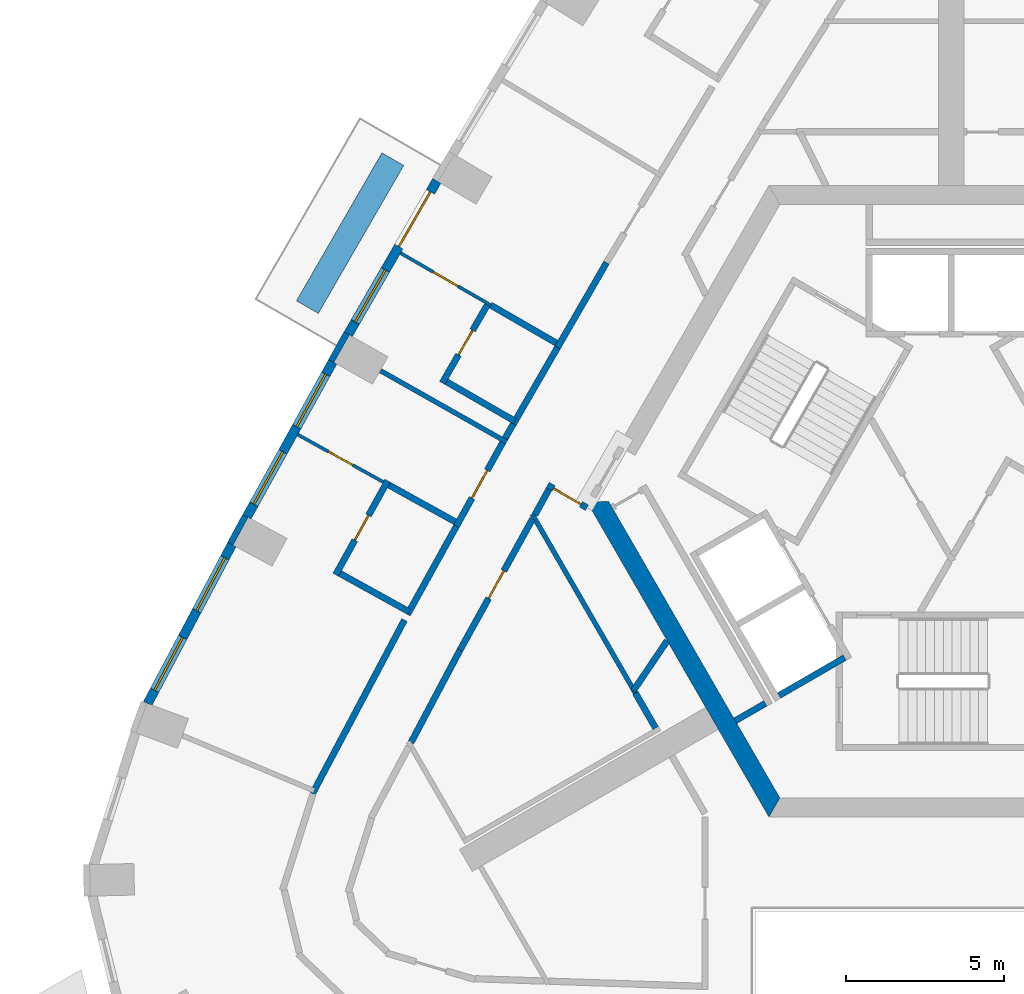
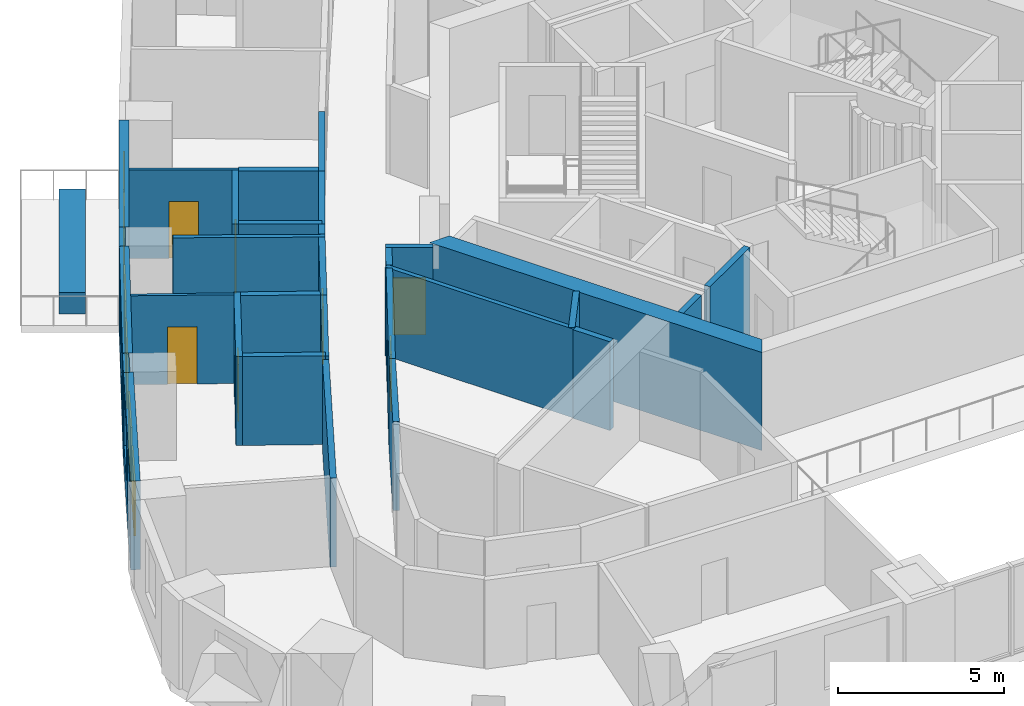
# One storey, part 4 of 13: 31 walls, 8 doors, 5 windows, 13 openings.
"""IFC4 building model written with IfcOpenShell, lengths in metres."""

from ifc_helpers import new_model, si_unit, direction, frame, frame_2d, origin, place, context, subcontext, project, spatial, polyline, rectangle, outline, extrude, material, layer, layer_set, type_object, element, fill, save


model = new_model("IFC4")

# Units and contexts
model_context = context("Model", 3, precision=1e-05, world=origin(), true_north=direction((0.0, 1.0)))
body_context = subcontext(model_context, "Body", "Model", "MODEL_VIEW")
ifc_project = project(units=[si_unit("LENGTHUNIT", "METRE"), si_unit("AREAUNIT", "SQUARE_METRE"), si_unit("VOLUMEUNIT", "CUBIC_METRE"), si_unit("PLANEANGLEUNIT", "RADIAN"), si_unit("MASSUNIT", "GRAM", prefix="KILO")], contexts=[model_context])

# Site, building, storey
site_placement = place(None, origin())
site = spatial("IfcSite", under=ifc_project, at=site_placement, CompositionType="ELEMENT")
building_placement = place(site_placement, origin())
building = spatial("IfcBuilding", under=site, at=building_placement, Name="Entoto Arch Interchange Tower", CompositionType="ELEMENT")
storey_placement = place(building_placement, frame((0.0, 0.0, 270.199951171875)))
storey = spatial("IfcBuildingStorey", under=building, at=storey_placement, Name="L62", CompositionType="ELEMENT", Elevation=270.199951171875)

# Walls
ifc_material_1 = material(Name="Concrete C40/50", Category="concrete")
ifc_layer_1 = layer(ifc_material_1, 0.60009765625)
ifc_layer_set_1 = layer_set([ifc_layer_1], Name="Concrete C40/50")
wall_type_1 = type_object("IfcWallType", Name="Core wall 600 C40/50", PredefinedType="SHEAR", material=ifc_layer_set_1)
wall_1_placement = place(storey_placement, frame((0.0, 0.0, -0.33984375)))
element("IfcWall", 1, at=wall_1_placement, inside=storey, type_object=wall_type_1, Name="Core wall SW L62", PredefinedType="SHEAR", context=body_context, shape_type="SweptSolid", body=[
    extrude(outline(polyline([(-11.547119140625, 2.5), (-5.77392578125, -7.5), (-5.427001953125, -6.89990234375), (-10.85400390625, 2.5), (-11.547119140625, 2.5)])), origin(), (0.0, 0.0, 1.0), 3.599853515625),
])
ifc_layer_2 = layer(ifc_material_1, 0.199951171875)
ifc_layer_set_2 = layer_set([ifc_layer_2], Name="Concrete C40/50")
wall_type_2 = type_object("IfcWallType", Name="LIFT SHAFT WALL 200", PredefinedType="STANDARD", material=ifc_layer_set_2)
wall_2_placement = place(storey_placement, frame((-3.376953125, -2.451904296875, 0.0), z_axis=(0.0, 0.0, 1.0), x_axis=(-0.865955154139, -0.50012165622, 0.0)))
element("IfcWall", 2, at=wall_2_placement, inside=storey, type_object=wall_type_2, Name="Shaft wall SW1 cross 3", PredefinedType="STANDARD", context=body_context, shape_type="SweptSolid", body=[
    extrude(rectangle(XDim=2.39990234375, YDim=0.199951171875, at=frame_2d((1.199951171875, 0.0))), origin(), (0.0, 0.0, 1.0), 3.260009765625),
])

# Wall, opening, door
ifc_material_2 = material(Name="Gypsum board partition on steel studs", Category="steel")
ifc_layer_3 = layer(ifc_material_2, 0.10009765625)
ifc_layer_set_3 = layer_set([ifc_layer_3], Name="Gypsum board partition on steel studs")
wall_type_3 = type_object("IfcWallType", Name="PARTITION 100", PredefinedType="PARTITIONING", material=ifc_layer_set_3)
wall_3_placement = place(storey_placement, frame((-14.583984375, 8.7099609375, 0.0), z_axis=(0.0, 0.0, 1.0), x_axis=(-0.866008176907, 0.50002983664, 0.0)))
wall_3 = element("IfcWall", 3, at=wall_3_placement, inside=storey, type_object=wall_type_3, Name="wall:L62:p134", PredefinedType="PARTITIONING", context=body_context, shape_type="SweptSolid", body=[
    extrude(rectangle(XDim=3.300048828125, YDim=0.10009765625, at=frame_2d((1.64990234375, 0.0))), origin(), (0.0, 0.0, 1.0), 3.260009765625),
])
opening_1_placement = place(wall_3_placement, frame((1.199951171875, 0.0, 0.0)))
opening_1 = element("IfcOpeningElement", 4, at=opening_1_placement, cuts=wall_3, Name="Opening L62-D14", PredefinedType="OPENING", context=body_context, shape_type="SweptSolid", body=[
    extrude(rectangle(XDim=0.89990234375, YDim=2.10009765625, at=frame_2d((0.449951171875, 1.050048828125))), frame((0.0, 0.06005859375, 0.0), z_axis=(0.0, -1.0, 0.0), x_axis=(1.0, 0.0, 0.0)), (0.0, 0.0, 1.0), 0.1201171875),
])
ifc_material_3 = material(Name="Timber door leaf in Steel S235 frame", Category="steel")
door_type_1 = type_object("IfcDoorType", Name="DOOR DS-09 900x2100", OperationType="SINGLE_SWING_LEFT", PredefinedType="DOOR", material=ifc_material_3)
door_1_placement = place(opening_1_placement, origin())
door_1 = element("IfcDoor", 5, at=door_1_placement, inside=storey, type_object=door_type_1, Name="door:L62:14", OperationType="SINGLE_SWING_LEFT", OverallHeight=2.10009765625, OverallWidth=0.89990234375, PredefinedType="DOOR", context=body_context, shape_type="SweptSolid", body=[
    extrude(rectangle(XDim=0.89990234375, YDim=2.10009765625, at=frame_2d((0.449951171875, 1.050048828125))), frame((0.0, 0.02490234375, 0.0), z_axis=(0.0, -1.0, 0.0), x_axis=(1.0, 0.0, 0.0)), (0.0, 0.0, 1.0), 0.050048828125),
])
fill(opening_1, door_1)

wall_4_placement = place(storey_placement, frame((-17.985107421875, 3.10888671875, 0.0), z_axis=(0.0, 0.0, 1.0), x_axis=(-0.874762085098, 0.484552674614, 0.0)))
wall_4 = element("IfcWall", 6, at=wall_4_placement, inside=storey, type_object=wall_type_3, Name="wall:L62:p139", PredefinedType="PARTITIONING", context=body_context, shape_type="SweptSolid", body=[
    extrude(rectangle(XDim=3.10009765625, YDim=0.10009765625, at=frame_2d((1.550048828125, 0.0))), origin(), (0.0, 0.0, 1.0), 3.260009765625),
])
opening_2_placement = place(wall_4_placement, frame((1.10009765625, 0.0, 0.0)))
opening_2 = element("IfcOpeningElement", 7, at=opening_2_placement, cuts=wall_4, Name="Opening L62-D17", PredefinedType="OPENING", context=body_context, shape_type="SweptSolid", body=[
    extrude(rectangle(XDim=0.89990234375, YDim=2.10009765625, at=frame_2d((0.449951171875, 1.050048828125))), frame((0.0, 0.06005859375, 0.0), z_axis=(0.0, -1.0, 0.0), x_axis=(1.0, 0.0, 0.0)), (0.0, 0.0, 1.0), 0.1201171875),
])
door_2_placement = place(opening_2_placement, origin())
door_2 = element("IfcDoor", 8, at=door_2_placement, inside=storey, type_object=door_type_1, Name="door:L62:17", OperationType="SINGLE_SWING_LEFT", OverallHeight=2.10009765625, OverallWidth=0.89990234375, PredefinedType="DOOR", context=body_context, shape_type="SweptSolid", body=[
    extrude(rectangle(XDim=0.89990234375, YDim=2.10009765625, at=frame_2d((0.449951171875, 1.050048828125))), frame((0.0, 0.02490234375, 0.0), z_axis=(0.0, -1.0, 0.0), x_axis=(1.0, 0.0, 0.0)), (0.0, 0.0, 1.0), 0.050048828125),
])
fill(opening_2, door_2)

# Walls
ifc_layer_4 = layer(ifc_material_2, 0.14990234375)
ifc_layer_set_4 = layer_set([ifc_layer_4], Name="Gypsum board partition on steel studs")
wall_type_4 = type_object("IfcWallType", Name="PARTITION 150", PredefinedType="PARTITIONING", material=ifc_layer_set_4)
wall_5_placement = place(storey_placement, frame((-13.27392578125, 2.092041015625, 0.0), z_axis=(0.0, 0.0, 1.0), x_axis=(0.500002592159, -0.866023907196, 0.0)))
element("IfcWall", 9, at=wall_5_placement, inside=storey, type_object=wall_type_4, Name="wall:L62:p082", PredefinedType="PARTITIONING", context=body_context, shape_type="SweptSolid", body=[
    extrude(rectangle(XDim=6.5380859375, YDim=0.14990234375, at=frame_2d((3.26904296875, 0.0))), origin(), (0.0, 0.0, 1.0), 3.260009765625),
])
wall_6_placement = place(storey_placement, frame((-14.0830078125, 4.376953125, 0.0), z_axis=(0.0, 0.0, 1.0), x_axis=(-0.870415885751, 0.492317159799, 0.0)))
element("IfcWall", 10, at=wall_6_placement, inside=storey, type_object=wall_type_4, Name="wall:L62:p138", PredefinedType="PARTITIONING", context=body_context, shape_type="SweptSolid", body=[
    extrude(rectangle(XDim=4.58056640625, YDim=0.14990234375, at=frame_2d((2.290283203125, 0.0))), origin(), (0.0, 0.0, 1.0), 3.260009765625),
])

# Wall, opening, door
ifc_layer_5 = layer(ifc_material_2, 0.199951171875)
ifc_layer_set_5 = layer_set([ifc_layer_5], Name="Gypsum board partition on steel studs")
wall_type_5 = type_object("IfcWallType", Name="PARTITION 200", PredefinedType="PARTITIONING", material=ifc_layer_set_5)
wall_7_placement = place(storey_placement, frame((-11.5390625, 2.294921875, 0.0), z_axis=(0.0, 0.0, 1.0), x_axis=(-0.866023989838, 0.500002449018, 0.0)))
wall_7 = element("IfcWall", 11, at=wall_7_placement, inside=storey, type_object=wall_type_5, Name="wall:L62:p001", PredefinedType="PARTITIONING", context=body_context, shape_type="SweptSolid", body=[
    extrude(rectangle(XDim=1.43408203125, YDim=0.199951171875, at=frame_2d((0.717041015625, 0.0))), origin(), (0.0, 0.0, 1.0), 3.260009765625),
])
opening_3_placement = place(wall_7_placement, frame((0.217041015625, 0.0, 0.0)))
opening_3 = element("IfcOpeningElement", 12, at=opening_3_placement, cuts=wall_7, Name="Opening L62-D32", PredefinedType="OPENING", context=body_context, shape_type="SweptSolid", body=[
    extrude(rectangle(XDim=1.0, YDim=2.10009765625, at=frame_2d((0.5, 1.050048828125))), frame((0.0, 0.10986328125, 0.0), z_axis=(0.0, -1.0, 0.0), x_axis=(1.0, 0.0, 0.0)), (0.0, 0.0, 1.0), 0.219970703125),
])
door_type_2 = type_object("IfcDoorType", Name="DOOR DS-10 1000x2100", OperationType="SINGLE_SWING_LEFT", PredefinedType="DOOR", material=ifc_material_3)
door_3_placement = place(opening_3_placement, origin())
door_3 = element("IfcDoor", 13, at=door_3_placement, inside=storey, type_object=door_type_2, Name="door:L62:32", OperationType="SINGLE_SWING_RIGHT", OverallHeight=2.10009765625, OverallWidth=1.0, PredefinedType="DOOR", context=body_context, shape_type="SweptSolid", body=[
    extrude(rectangle(XDim=1.0, YDim=2.10009765625, at=frame_2d((0.5, 1.050048828125))), frame((0.0, 0.02490234375, 0.0), z_axis=(0.0, -1.0, 0.0), x_axis=(1.0, 0.0, 0.0)), (0.0, 0.0, 1.0), 0.050048828125),
])
fill(opening_3, door_3)

# Wall
wall_8_placement = place(storey_placement, frame((-12.742919921875, 2.875, 0.0), z_axis=(0.0, 0.0, 1.0), x_axis=(-0.484334040176, -0.8748831565, 0.0)))
element("IfcWall", 14, at=wall_8_placement, inside=storey, type_object=wall_type_5, Name="wall:L62:p002", PredefinedType="PARTITIONING", context=body_context, shape_type="SweptSolid", body=[
    extrude(rectangle(XDim=0.9189453125, YDim=0.199951171875, at=frame_2d((0.45947265625, 0.0))), origin(), (0.0, 0.0, 1.0), 3.260009765625),
])

# Wall, opening, door
wall_9_placement = place(storey_placement, frame((-13.260986328125, 1.93896484375, 0.0), z_axis=(0.0, 0.0, 1.0), x_axis=(-0.484323615817, -0.874888927329, 0.0)))
wall_9 = element("IfcWall", 15, at=wall_9_placement, inside=storey, type_object=wall_type_5, Name="wall:L62:p029", PredefinedType="PARTITIONING", context=body_context, shape_type="SweptSolid", body=[
    extrude(rectangle(XDim=4.7470703125, YDim=0.199951171875, at=frame_2d((2.37353515625, 0.0))), origin(), (0.0, 0.0, 1.0), 3.260009765625),
])
opening_4_placement = place(wall_9_placement, frame((1.8740234375, 0.0, 0.0)))
opening_4 = element("IfcOpeningElement", 16, at=opening_4_placement, cuts=wall_9, Name="Opening L62-D29", PredefinedType="OPENING", context=body_context, shape_type="SweptSolid", body=[
    extrude(rectangle(XDim=1.0, YDim=2.10009765625, at=frame_2d((0.5, 1.050048828125))), frame((0.0, 0.10986328125, 0.0), z_axis=(0.0, -1.0, 0.0), x_axis=(1.0, 0.0, 0.0)), (0.0, 0.0, 1.0), 0.219970703125),
])
door_4_placement = place(opening_4_placement, origin())
door_4 = element("IfcDoor", 17, at=door_4_placement, inside=storey, type_object=door_type_2, Name="door:L62:29", OperationType="SINGLE_SWING_LEFT", OverallHeight=2.10009765625, OverallWidth=1.0, PredefinedType="DOOR", context=body_context, shape_type="SweptSolid", body=[
    extrude(rectangle(XDim=1.0, YDim=2.10009765625, at=frame_2d((0.5, 1.050048828125))), frame((0.0, 0.02490234375, 0.0), z_axis=(0.0, -1.0, 0.0), x_axis=(1.0, 0.0, 0.0)), (0.0, 0.0, 1.0), 0.050048828125),
])
fill(opening_4, door_4)

# Walls
wall_10_placement = place(storey_placement, frame((-15.56005859375, -2.214111328125, 0.0), z_axis=(0.0, 0.0, 1.0), x_axis=(-0.468104679961, -0.883673021314, 0.0)))
element("IfcWall", 18, at=wall_10_placement, inside=storey, type_object=wall_type_5, Name="wall:L62:p030", PredefinedType="PARTITIONING", context=body_context, shape_type="SweptSolid", body=[
    extrude(rectangle(XDim=3.308837890625, YDim=0.199951171875, at=frame_2d((1.654296875, 0.0))), origin(), (0.0, 0.0, 1.0), 3.260009765625),
])
wall_11_placement = place(storey_placement, frame((-12.468994140625, 7.373046875, 0.0), z_axis=(0.0, 0.0, 1.0), x_axis=(0.500129289791, 0.86595074542, 0.0)))
element("IfcWall", 19, at=wall_11_placement, inside=storey, type_object=wall_type_5, Name="wall:L62:p060", PredefinedType="PARTITIONING", context=body_context, shape_type="SweptSolid", body=[
    extrude(rectangle(XDim=3.099365234375, YDim=0.199951171875, at=frame_2d((1.5498046875, 0.0))), origin(), (0.0, 0.0, 1.0), 3.260009765625),
])
wall_12_placement = place(storey_placement, frame((-14.132080078125, 4.491943359375, 0.0), z_axis=(0.0, 0.0, 1.0), x_axis=(0.499829488579, 0.86612382622, 0.0)))
element("IfcWall", 20, at=wall_12_placement, inside=storey, type_object=wall_type_5, Name="wall:L62:p062", PredefinedType="PARTITIONING", context=body_context, shape_type="SweptSolid", body=[
    extrude(rectangle(XDim=0.526611328125, YDim=0.199951171875, at=frame_2d((0.26318359375, 0.0))), origin(), (0.0, 0.0, 1.0), 3.260009765625),
])
wall_13_placement = place(storey_placement, frame((-13.868896484375, 4.947998046875, 0.0), z_axis=(0.0, 0.0, 1.0), x_axis=(0.49994636267, 0.866056369097, 0.0)))
element("IfcWall", 21, at=wall_13_placement, inside=storey, type_object=wall_type_5, Name="wall:L62:p063", PredefinedType="PARTITIONING", context=body_context, shape_type="SweptSolid", body=[
    extrude(rectangle(XDim=2.800048828125, YDim=0.199951171875, at=frame_2d((1.39990234375, 0.0))), origin(), (0.0, 0.0, 1.0), 3.260009765625),
])

# Wall, opening, door
wall_14_placement = place(storey_placement, frame((-15.6708984375, 1.714111328125, 0.0), z_axis=(0.0, 0.0, 1.0), x_axis=(0.484203367026, 0.874955484216, 0.0)))
wall_14 = element("IfcWall", 22, at=wall_14_placement, inside=storey, type_object=wall_type_5, Name="wall:L62:p064", PredefinedType="PARTITIONING", context=body_context, shape_type="SweptSolid", body=[
    extrude(rectangle(XDim=3.025146484375, YDim=0.199951171875, at=frame_2d((1.5126953125, 0.0))), origin(), (0.0, 0.0, 1.0), 3.260009765625),
])
opening_5_placement = place(wall_14_placement, frame((1.012939453125, 0.0, 0.0)))
opening_5 = element("IfcOpeningElement", 23, at=opening_5_placement, cuts=wall_14, Name="Opening L62-D16", PredefinedType="OPENING", context=body_context, shape_type="SweptSolid", body=[
    extrude(rectangle(XDim=1.0, YDim=2.10009765625, at=frame_2d((0.5, 1.050048828125))), frame((0.0, 0.10986328125, 0.0), z_axis=(0.0, -1.0, 0.0), x_axis=(1.0, 0.0, 0.0)), (0.0, 0.0, 1.0), 0.219970703125),
])
ifc_material_4 = material(Name="Fire-rated Steel S235 door and frame", Category="steel")
door_type_3 = type_object("IfcDoorType", Name="DOOR FD-10 1000x2100", OperationType="SINGLE_SWING_LEFT", PredefinedType="DOOR", material=ifc_material_4)
door_5_placement = place(opening_5_placement, origin())
door_5 = element("IfcDoor", 24, at=door_5_placement, inside=storey, type_object=door_type_3, Name="door:L62:16", OperationType="SINGLE_SWING_RIGHT", OverallHeight=2.10009765625, OverallWidth=1.0, PredefinedType="DOOR", context=body_context, shape_type="SweptSolid", body=[
    extrude(rectangle(XDim=1.0, YDim=2.10009765625, at=frame_2d((0.5, 1.050048828125))), frame((0.0, 0.02490234375, 0.0), z_axis=(0.0, -1.0, 0.0), x_axis=(1.0, 0.0, 0.0)), (0.0, 0.0, 1.0), 0.050048828125),
])
fill(opening_5, door_5)

# Walls
wall_15_placement = place(storey_placement, frame((-20.22900390625, -6.75390625, 0.0), z_axis=(0.0, 0.0, 1.0), x_axis=(0.468313568794, 0.883562335822, 0.0)))
element("IfcWall", 25, at=wall_15_placement, inside=storey, type_object=wall_type_5, Name="wall:L62:p065", PredefinedType="PARTITIONING", context=body_context, shape_type="SweptSolid", body=[
    extrude(rectangle(XDim=6.215576171875, YDim=0.199951171875, at=frame_2d((3.10791015625, 0.0))), origin(), (0.0, 0.0, 1.0), 3.260009765625),
])
wall_16_placement = place(storey_placement, frame((-17.220947265625, -1.0849609375, 0.0), z_axis=(0.0, 0.0, 1.0), x_axis=(0.48445041864, 0.874818719438, 0.0)))
element("IfcWall", 26, at=wall_16_placement, inside=storey, type_object=wall_type_5, Name="wall:L62:p066", PredefinedType="PARTITIONING", context=body_context, shape_type="SweptSolid", body=[
    extrude(rectangle(XDim=3.19970703125, YDim=0.199951171875, at=frame_2d((1.599853515625, 0.0))), origin(), (0.0, 0.0, 1.0), 3.260009765625),
])
wall_17_placement = place(storey_placement, frame((-5.887939453125, -3.902099609375, 0.0), z_axis=(0.0, 0.0, 1.0), x_axis=(-0.86621513555, -0.499671230855, 0.0)))
element("IfcWall", 27, at=wall_17_placement, inside=storey, type_object=wall_type_5, Name="wall:L62:p078", PredefinedType="PARTITIONING", context=body_context, shape_type="SweptSolid", body=[
    extrude(rectangle(XDim=1.100341796875, YDim=0.199951171875, at=frame_2d((0.55029296875, 0.0))), origin(), (0.0, 0.0, 1.0), 3.260009765625),
])
wall_18_placement = place(storey_placement, frame((-10.069091796875, -3.50390625, 0.0), z_axis=(0.0, 0.0, 1.0), x_axis=(0.559779346026, 0.828641710127, 0.0)))
element("IfcWall", 28, at=wall_18_placement, inside=storey, type_object=wall_type_5, Name="wall:L62:p081", PredefinedType="PARTITIONING", context=body_context, shape_type="SweptSolid", body=[
    extrude(rectangle(XDim=1.9150390625, YDim=0.199951171875, at=frame_2d((0.95751953125, 0.0))), origin(), (0.0, 0.0, 1.0), 3.260009765625),
])
wall_19_placement = place(storey_placement, frame((-9.364013671875, -4.679931640625, 0.0), z_axis=(0.0, 0.0, 1.0), x_axis=(-0.500052244015, 0.865995238587, 0.0)))
element("IfcWall", 29, at=wall_19_placement, inside=storey, type_object=wall_type_5, Name="wall:L62:p099", PredefinedType="PARTITIONING", context=body_context, shape_type="SweptSolid", body=[
    extrude(rectangle(XDim=1.281494140625, YDim=0.199951171875, at=frame_2d((0.640625, 0.0))), origin(), (0.0, 0.0, 1.0), 3.260009765625),
])
wall_20_placement = place(storey_placement, frame((-12.5048828125, 7.510009765625, 0.0), z_axis=(0.0, 0.0, 1.0), x_axis=(-0.866277021052, 0.499563932643, 0.0)))
element("IfcWall", 30, at=wall_20_placement, inside=storey, type_object=wall_type_5, Name="wall:L62:p135", PredefinedType="PARTITIONING", context=body_context, shape_type="SweptSolid", body=[
    extrude(rectangle(XDim=2.400146484375, YDim=0.199951171875, at=frame_2d((1.2001953125, 0.0))), origin(), (0.0, 0.0, 1.0), 3.260009765625),
])

# Wall, opening, door
wall_21_placement = place(storey_placement, frame((-14.64501953125, 8.802978515625, 0.0), z_axis=(0.0, 0.0, 1.0), x_axis=(-0.500001826776, -0.866024349092, 0.0)))
wall_21 = element("IfcWall", 31, at=wall_21_placement, inside=storey, type_object=wall_type_5, Name="wall:L62:p136", PredefinedType="PARTITIONING", context=body_context, shape_type="SweptSolid", body=[
    extrude(rectangle(XDim=2.9501953125, YDim=0.199951171875, at=frame_2d((1.47509765625, 0.0))), origin(), (0.0, 0.0, 1.0), 3.260009765625),
])
opening_6_placement = place(wall_21_placement, frame((1.02490234375, 0.0, 0.0)))
opening_6 = element("IfcOpeningElement", 32, at=opening_6_placement, cuts=wall_21, Name="Opening L62-D15", PredefinedType="OPENING", context=body_context, shape_type="SweptSolid", body=[
    extrude(rectangle(XDim=0.89990234375, YDim=2.10009765625, at=frame_2d((0.449951171875, 1.050048828125))), frame((0.0, 0.10986328125, 0.0), z_axis=(0.0, -1.0, 0.0), x_axis=(1.0, 0.0, 0.0)), (0.0, 0.0, 1.0), 0.219970703125),
])
door_6_placement = place(opening_6_placement, origin())
door_6 = element("IfcDoor", 33, at=door_6_placement, inside=storey, type_object=door_type_1, Name="door:L62:15", OperationType="SINGLE_SWING_LEFT", OverallHeight=2.10009765625, OverallWidth=0.89990234375, PredefinedType="DOOR", context=body_context, shape_type="SweptSolid", body=[
    extrude(rectangle(XDim=0.89990234375, YDim=2.10009765625, at=frame_2d((0.449951171875, 1.050048828125))), frame((0.0, 0.02490234375, 0.0), z_axis=(0.0, -1.0, 0.0), x_axis=(1.0, 0.0, 0.0)), (0.0, 0.0, 1.0), 0.050048828125),
])
fill(opening_6, door_6)

# Walls
wall_22_placement = place(storey_placement, frame((-15.98388671875, 6.284912109375, 0.0), z_axis=(0.0, 0.0, 1.0), x_axis=(0.865998541277, -0.500046524342, 0.0)))
element("IfcWall", 34, at=wall_22_placement, inside=storey, type_object=wall_type_5, Name="wall:L62:p137", PredefinedType="PARTITIONING", context=body_context, shape_type="SweptSolid", body=[
    extrude(rectangle(XDim=2.499755859375, YDim=0.199951171875, at=frame_2d((1.25, 0.0))), origin(), (0.0, 0.0, 1.0), 3.260009765625),
])
wall_23_placement = place(storey_placement, frame((-15.7099609375, 1.85009765625, 0.0), z_axis=(0.0, 0.0, 1.0), x_axis=(-0.874842414173, 0.484407628308, 0.0)))
element("IfcWall", 35, at=wall_23_placement, inside=storey, type_object=wall_type_5, Name="wall:L62:p140", PredefinedType="PARTITIONING", context=body_context, shape_type="SweptSolid", body=[
    extrude(rectangle(XDim=2.400634765625, YDim=0.199951171875, at=frame_2d((1.2001953125, 0.0))), origin(), (0.0, 0.0, 1.0), 3.260009765625),
])

# Wall, opening, door
wall_24_placement = place(storey_placement, frame((-17.84912109375, 3.14794921875, 0.0), z_axis=(0.0, 0.0, 1.0), x_axis=(-0.484257957482, -0.874925271446, 0.0)))
wall_24 = element("IfcWall", 36, at=wall_24_placement, inside=storey, type_object=wall_type_5, Name="wall:L62:p141", PredefinedType="PARTITIONING", context=body_context, shape_type="SweptSolid", body=[
    extrude(rectangle(XDim=3.39892578125, YDim=0.199951171875, at=frame_2d((1.699462890625, 0.0))), origin(), (0.0, 0.0, 1.0), 3.260009765625),
])
opening_7_placement = place(wall_24_placement, frame((1.25, 0.0, 0.0)))
opening_7 = element("IfcOpeningElement", 37, at=opening_7_placement, cuts=wall_24, Name="Opening L62-D18", PredefinedType="OPENING", context=body_context, shape_type="SweptSolid", body=[
    extrude(rectangle(XDim=0.89990234375, YDim=2.10009765625, at=frame_2d((0.449951171875, 1.050048828125))), frame((0.0, 0.10986328125, 0.0), z_axis=(0.0, -1.0, 0.0), x_axis=(1.0, 0.0, 0.0)), (0.0, 0.0, 1.0), 0.219970703125),
])
door_7_placement = place(opening_7_placement, origin())
door_7 = element("IfcDoor", 38, at=door_7_placement, inside=storey, type_object=door_type_1, Name="door:L62:18", OperationType="SINGLE_SWING_LEFT", OverallHeight=2.10009765625, OverallWidth=0.89990234375, PredefinedType="DOOR", context=body_context, shape_type="SweptSolid", body=[
    extrude(rectangle(XDim=0.89990234375, YDim=2.10009765625, at=frame_2d((0.449951171875, 1.050048828125))), frame((0.0, 0.02490234375, 0.0), z_axis=(0.0, -1.0, 0.0), x_axis=(1.0, 0.0, 0.0)), (0.0, 0.0, 1.0), 0.050048828125),
])
fill(opening_7, door_7)

# Walls
wall_25_placement = place(storey_placement, frame((-19.360107421875, 0.212890625, 0.0), z_axis=(0.0, 0.0, 1.0), x_axis=(0.874939003568, -0.484233146362, 0.0)))
element("IfcWall", 39, at=wall_25_placement, inside=storey, type_object=wall_type_5, Name="wall:L62:p142", PredefinedType="PARTITIONING", context=body_context, shape_type="SweptSolid", body=[
    extrude(rectangle(XDim=2.500732421875, YDim=0.199951171875, at=frame_2d((1.25048828125, 0.0))), origin(), (0.0, 0.0, 1.0), 3.260009765625),
])
ifc_material_5 = material(Name="Board-marked precast concrete C50/60", Category="concrete")
ifc_layer_6 = layer(ifc_material_5, 0.800048828125)
ifc_layer_set_6 = layer_set([ifc_layer_6], Name="Board-marked precast concrete C50/60")
wall_type_6 = type_object("IfcWallType", Name="PLANTER RC 800 Hagenia abyssinica", PredefinedType="STANDARD", material=ifc_layer_set_6)
wall_26_placement = place(storey_placement, frame((-17.68603515625, 13.3349609375, 0.0), z_axis=(0.0, 0.0, 1.0), x_axis=(-0.500079142514, -0.865979706011, 0.0)))
element("IfcWall", 40, at=wall_26_placement, inside=storey, type_object=wall_type_6, Name="Planter NW-03 L62", PredefinedType="STANDARD", context=body_context, shape_type="SweptSolid", body=[
    extrude(rectangle(XDim=5.4111328125, YDim=0.800048828125, at=frame_2d((2.70556640625, 0.0))), origin(), (0.0, 0.0, 1.0), 0.800048828125),
])

# Wall, openings, door, window
ifc_material_6 = material(Name="Welded tuff (ignimbrite) cladding, warm buff", Category="masonry")
ifc_layer_7 = layer(ifc_material_6, 0.300048828125)
ifc_layer_set_7 = layer_set([ifc_layer_7], Name="Welded tuff (ignimbrite) cladding, warm buff")
wall_type_7 = type_object("IfcWallType", Name="STONE INFILL WALL 300", PredefinedType="STANDARD", material=ifc_layer_set_7)
wall_27_placement = place(storey_placement, frame((-16.2939453125, 12.64697265625, 0.0), z_axis=(0.0, 0.0, 1.0), x_axis=(-0.500041292042, -0.866001562501, 0.0)))
wall_27 = element("IfcWall", 41, at=wall_27_placement, inside=storey, type_object=wall_type_7, Name="Facade wall NW-03 L62", PredefinedType="STANDARD", context=body_context, shape_type="SweptSolid", body=[
    extrude(rectangle(XDim=5.61181640625, YDim=0.300048828125, at=frame_2d((2.805908203125, 0.0))), origin(), (0.0, 0.0, 1.0), 3.260009765625),
])
opening_8_placement = place(wall_27_placement, frame((0.403076171875, 0.0, 0.0)))
opening_8 = element("IfcOpeningElement", 42, at=opening_8_placement, cuts=wall_27, Name="Opening DB-NW-03-L62", PredefinedType="OPENING", context=body_context, shape_type="SweptSolid", body=[
    extrude(rectangle(XDim=2.0, YDim=2.39990234375, at=frame_2d((1.0, 1.199951171875))), frame((0.0, 0.16015625, 0.0), z_axis=(0.0, -1.0, 0.0), x_axis=(1.0, 0.0, 0.0)), (0.0, 0.0, 1.0), 0.320068359375),
])
opening_9_placement = place(wall_27_placement, frame((3.259033203125, 0.0, 0.89990234375)))
opening_9 = element("IfcOpeningElement", 43, at=opening_9_placement, cuts=wall_27, Name="Opening WH-C", PredefinedType="OPENING", context=body_context, shape_type="SweptSolid", body=[
    extrude(rectangle(XDim=1.89990234375, YDim=2.0, at=frame_2d((0.949951171875, 1.0))), frame((0.0, 0.16015625, 0.0), z_axis=(0.0, -1.0, 0.0), x_axis=(1.0, 0.0, 0.0)), (0.0, 0.0, 1.0), 0.320068359375),
])
ifc_material_7 = material(Name="Aluminium and clear glass, anodised", Category="aluminium")
door_type_4 = type_object("IfcDoorType", Name="BALCONY DOOR DB 2000x2400", OperationType="SLIDING_TO_LEFT", PredefinedType="DOOR", material=ifc_material_7)
door_8_placement = place(opening_8_placement, origin())
door_8 = element("IfcDoor", 44, at=door_8_placement, inside=storey, type_object=door_type_4, Name="Balcony door NW-03 L62", OperationType="SLIDING_TO_LEFT", OverallHeight=2.39990234375, OverallWidth=2.0, PredefinedType="DOOR", context=body_context, shape_type="SweptSolid", body=[
    extrude(rectangle(XDim=2.0, YDim=2.39990234375, at=frame_2d((1.0, 1.199951171875))), frame((0.0, 0.02490234375, 0.0), z_axis=(0.0, -1.0, 0.0), x_axis=(1.0, 0.0, 0.0)), (0.0, 0.0, 1.0), 0.050048828125),
])
fill(opening_8, door_8)
ifc_material_8 = material(Name="Clear glass, low-e double glazed", Category="glass")
window_type = type_object("IfcWindowType", Name="WINDOW WH-C 1900x2000", PartitioningType="DOUBLE_PANEL_VERTICAL", PredefinedType="WINDOW", material=ifc_material_8)
window_1_placement = place(opening_9_placement, origin())
window_1 = element("IfcWindow", 45, at=window_1_placement, inside=storey, type_object=window_type, Name="Window WH-C NW-03 L62", OverallHeight=2.0, OverallWidth=1.89990234375, PartitioningType="SINGLE_PANEL", PredefinedType="WINDOW", context=body_context, shape_type="SweptSolid", body=[
    extrude(rectangle(XDim=1.89990234375, YDim=2.0, at=frame_2d((0.949951171875, 1.0))), frame((0.0, 0.030029296875, 0.0), z_axis=(0.0, -1.0, 0.0), x_axis=(1.0, 0.0, 0.0)), (0.0, 0.0, 1.0), 0.06005859375),
])
fill(opening_9, window_1)

# Wall, openings, windows
wall_28_placement = place(storey_placement, frame((-19.591064453125, 6.9189453125, 0.0), z_axis=(0.0, 0.0, 1.0), x_axis=(-0.484260568952, -0.874923826032, 0.0)))
wall_28 = element("IfcWall", 46, at=wall_28_placement, inside=storey, type_object=wall_type_7, Name="Facade wall NW-04 L62", PredefinedType="STANDARD", context=body_context, shape_type="SweptSolid", body=[
    extrude(rectangle(XDim=5.610595703125, YDim=0.300048828125, at=frame_2d((2.80517578125, 0.0))), origin(), (0.0, 0.0, 1.0), 3.260009765625),
])
opening_10_placement = place(wall_28_placement, frame((0.452880859375, 0.0, 0.89990234375)))
opening_10 = element("IfcOpeningElement", 47, at=opening_10_placement, cuts=wall_28, Name="Opening WH-C", PredefinedType="OPENING", context=body_context, shape_type="SweptSolid", body=[
    extrude(rectangle(XDim=1.89990234375, YDim=2.0, at=frame_2d((0.949951171875, 1.0))), frame((0.0, 0.16015625, 0.0), z_axis=(0.0, -1.0, 0.0), x_axis=(1.0, 0.0, 0.0)), (0.0, 0.0, 1.0), 0.320068359375),
])
opening_11_placement = place(wall_28_placement, frame((3.258056640625, 0.0, 0.89990234375)))
opening_11 = element("IfcOpeningElement", 48, at=opening_11_placement, cuts=wall_28, Name="Opening WH-C", PredefinedType="OPENING", context=body_context, shape_type="SweptSolid", body=[
    extrude(rectangle(XDim=1.89990234375, YDim=2.0, at=frame_2d((0.949951171875, 1.0))), frame((0.0, 0.16015625, 0.0), z_axis=(0.0, -1.0, 0.0), x_axis=(1.0, 0.0, 0.0)), (0.0, 0.0, 1.0), 0.320068359375),
])
window_2_placement = place(opening_10_placement, origin())
window_2 = element("IfcWindow", 49, at=window_2_placement, inside=storey, type_object=window_type, Name="Window WH-C NW-04 L62", OverallHeight=2.0, OverallWidth=1.89990234375, PartitioningType="SINGLE_PANEL", PredefinedType="WINDOW", context=body_context, shape_type="SweptSolid", body=[
    extrude(rectangle(XDim=1.89990234375, YDim=2.0, at=frame_2d((0.949951171875, 1.0))), frame((0.0, 0.030029296875, 0.0), z_axis=(0.0, -1.0, 0.0), x_axis=(1.0, 0.0, 0.0)), (0.0, 0.0, 1.0), 0.06005859375),
])
fill(opening_10, window_2)
window_3_placement = place(opening_11_placement, origin())
window_3 = element("IfcWindow", 50, at=window_3_placement, inside=storey, type_object=window_type, Name="Window WH-C NW-04 L62", OverallHeight=2.0, OverallWidth=1.89990234375, PartitioningType="SINGLE_PANEL", PredefinedType="WINDOW", context=body_context, shape_type="SweptSolid", body=[
    extrude(rectangle(XDim=1.89990234375, YDim=2.0, at=frame_2d((0.949951171875, 1.0))), frame((0.0, 0.030029296875, 0.0), z_axis=(0.0, -1.0, 0.0), x_axis=(1.0, 0.0, 0.0)), (0.0, 0.0, 1.0), 0.06005859375),
])
fill(opening_11, window_3)

wall_29_placement = place(storey_placement, frame((-22.783935546875, 1.132080078125, 0.0), z_axis=(0.0, 0.0, 1.0), x_axis=(-0.468220106253, -0.883611867338, 0.0)))
wall_29 = element("IfcWall", 51, at=wall_29_placement, inside=storey, type_object=wall_type_7, Name="Facade wall NW-05 L62", PredefinedType="STANDARD", context=body_context, shape_type="SweptSolid", body=[
    extrude(rectangle(XDim=5.702880859375, YDim=0.300048828125, at=frame_2d((2.8515625, 0.0))), origin(), (0.0, 0.0, 1.0), 3.260009765625),
])
opening_12_placement = place(wall_29_placement, frame((0.47607421875, 0.0, 0.89990234375)))
opening_12 = element("IfcOpeningElement", 52, at=opening_12_placement, cuts=wall_29, Name="Opening WH-C", PredefinedType="OPENING", context=body_context, shape_type="SweptSolid", body=[
    extrude(rectangle(XDim=1.89990234375, YDim=2.0, at=frame_2d((0.949951171875, 1.0))), frame((0.0, 0.16015625, 0.0), z_axis=(0.0, -1.0, 0.0), x_axis=(1.0, 0.0, 0.0)), (0.0, 0.0, 1.0), 0.320068359375),
])
opening_13_placement = place(wall_29_placement, frame((3.326904296875, 0.0, 0.89990234375)))
opening_13 = element("IfcOpeningElement", 53, at=opening_13_placement, cuts=wall_29, Name="Opening WH-C", PredefinedType="OPENING", context=body_context, shape_type="SweptSolid", body=[
    extrude(rectangle(XDim=1.89990234375, YDim=2.0, at=frame_2d((0.949951171875, 1.0))), frame((0.0, 0.16015625, 0.0), z_axis=(0.0, -1.0, 0.0), x_axis=(1.0, 0.0, 0.0)), (0.0, 0.0, 1.0), 0.320068359375),
])
window_4_placement = place(opening_12_placement, origin())
window_4 = element("IfcWindow", 54, at=window_4_placement, inside=storey, type_object=window_type, Name="Window WH-C NW-05 L62", OverallHeight=2.0, OverallWidth=1.89990234375, PartitioningType="SINGLE_PANEL", PredefinedType="WINDOW", context=body_context, shape_type="SweptSolid", body=[
    extrude(rectangle(XDim=1.89990234375, YDim=2.0, at=frame_2d((0.949951171875, 1.0))), frame((0.0, 0.030029296875, 0.0), z_axis=(0.0, -1.0, 0.0), x_axis=(1.0, 0.0, 0.0)), (0.0, 0.0, 1.0), 0.06005859375),
])
fill(opening_12, window_4)
window_5_placement = place(opening_13_placement, origin())
window_5 = element("IfcWindow", 55, at=window_5_placement, inside=storey, type_object=window_type, Name="Window WH-C NW-05 L62", OverallHeight=2.0, OverallWidth=1.89990234375, PartitioningType="SINGLE_PANEL", PredefinedType="WINDOW", context=body_context, shape_type="SweptSolid", body=[
    extrude(rectangle(XDim=1.89990234375, YDim=2.0, at=frame_2d((0.949951171875, 1.0))), frame((0.0, 0.030029296875, 0.0), z_axis=(0.0, -1.0, 0.0), x_axis=(1.0, 0.0, 0.0)), (0.0, 0.0, 1.0), 0.06005859375),
])
fill(opening_13, window_5)

# Walls
ifc_layer_8 = layer(ifc_material_6, 0.199951171875)
ifc_layer_set_8 = layer_set([ifc_layer_8], Name="Welded tuff (ignimbrite) cladding, warm buff")
wall_type_8 = type_object("IfcWallType", Name="STONE PIER CLADDING 200", PredefinedType="STANDARD", material=ifc_layer_set_8)
wall_30_placement = place(storey_placement, frame((-19.14697265625, 7.81494140625, 0.0), z_axis=(0.0, 0.0, 1.0), x_axis=(-0.491848119507, -0.870681013539, 0.0)))
element("IfcWall", 56, at=wall_30_placement, inside=storey, type_object=wall_type_8, Name="Stone pier NW04 L62", PredefinedType="STANDARD", context=body_context, shape_type="SweptSolid", body=[
    extrude(rectangle(XDim=1.000244140625, YDim=0.199951171875, at=frame_2d((0.5, 0.0))), origin(), (0.0, 0.0, 1.0), 3.260009765625),
])
wall_31_placement = place(storey_placement, frame((-22.35693359375, 2.037109375, 0.0), z_axis=(0.0, 0.0, 1.0), x_axis=(-0.473852444207, -0.880604259085, 0.0)))
element("IfcWall", 57, at=wall_31_placement, inside=storey, type_object=wall_type_8, Name="Stone pier NW05 L62", PredefinedType="STANDARD", context=body_context, shape_type="SweptSolid", body=[
    extrude(rectangle(XDim=1.00048828125, YDim=0.199951171875, at=frame_2d((0.500244140625, 0.0))), origin(), (0.0, 0.0, 1.0), 3.260009765625),
])

save(model, "model.ifc")
